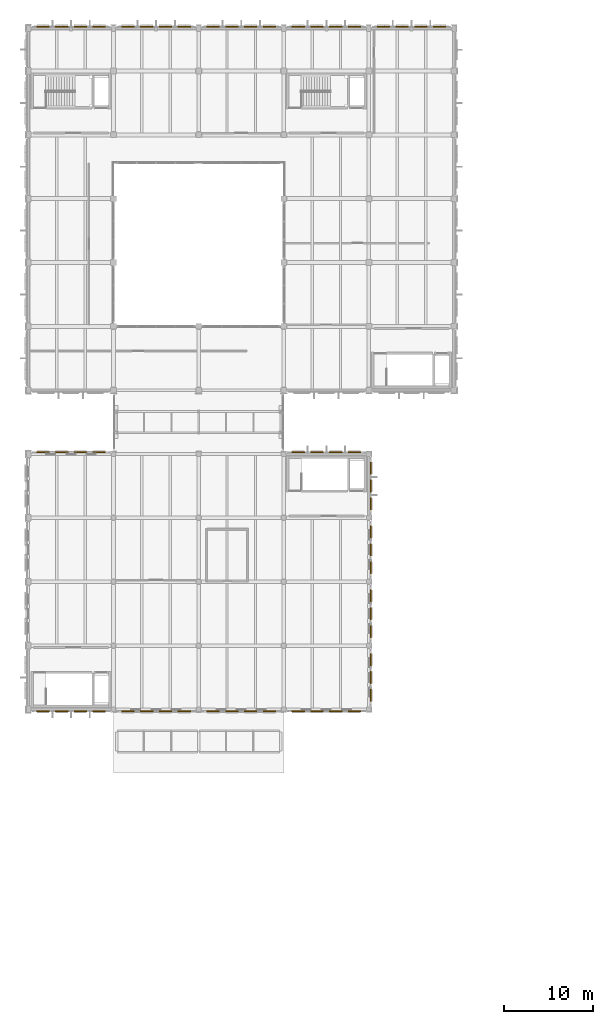
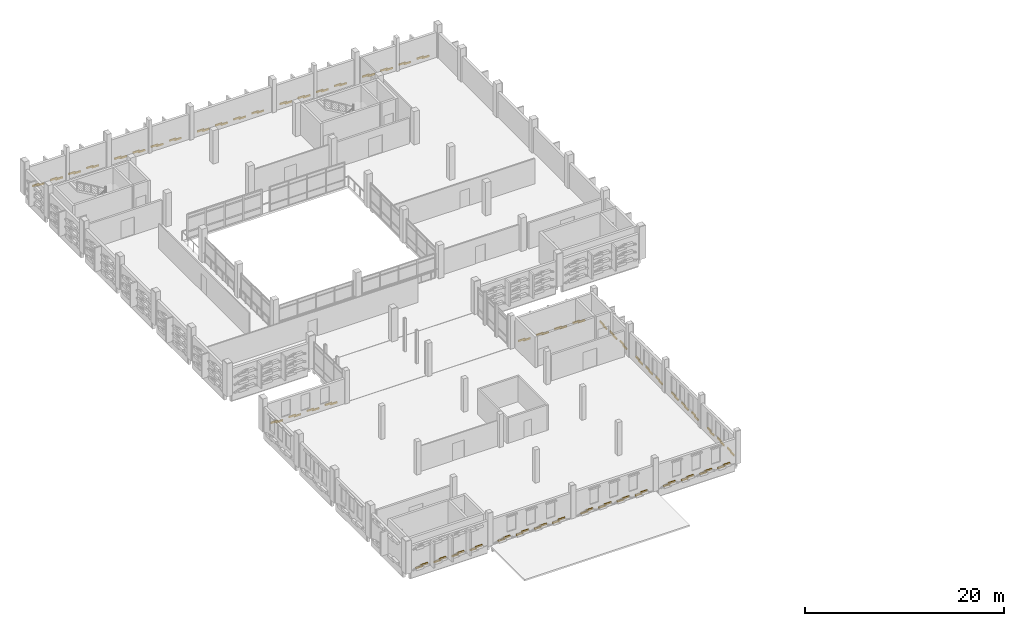
# One storey, part 72 of 72: 112 coverings.
"""IFC4 building model written with IfcOpenShell, lengths in metres."""

from ifc_helpers import new_model, si_unit, direction, frame, origin, origin_2d, place, context, subcontext, project, spatial, rectangle, extrude, material, layer, layer_set, type_object, element, save


model = new_model("IFC4")

# Units and contexts
model_context = context("Model", 3, precision=1e-05, world=origin(), true_north=direction((0.0, 1.0)))
body_context = subcontext(model_context, "Body", "Model", "MODEL_VIEW")
ifc_project = project(units=[si_unit("LENGTHUNIT", "METRE"), si_unit("AREAUNIT", "SQUARE_METRE"), si_unit("VOLUMEUNIT", "CUBIC_METRE"), si_unit("PLANEANGLEUNIT", "RADIAN"), si_unit("MASSUNIT", "GRAM", prefix="KILO")], contexts=[model_context])

# Site, building, storey
site_placement = place(None, origin())
site = spatial("IfcSite", under=ifc_project, at=site_placement, CompositionType="ELEMENT")
building_placement = place(site_placement, origin())
building = spatial("IfcBuilding", under=site, at=building_placement, Name="Asteropetra Specialist Clinic", CompositionType="ELEMENT")
storey_placement = place(building_placement, frame((0.0, 0.0, 12.580078125)))
storey = spatial("IfcBuildingStorey", under=building, at=storey_placement, Name="L03", CompositionType="ELEMENT", Elevation=12.580078125)

# Coverings
ifc_material_1 = material(Name="Chevron limestone", Category="masonry")
ifc_layer_1 = layer(ifc_material_1, 0.1201171875)
ifc_layer_set_1 = layer_set([ifc_layer_1], Name="Chevron limestone")
covering_type_1 = type_object("IfcCoveringType", Name="CLD-OCH-LIME", PredefinedType="CLADDING", material=ifc_layer_set_1)
for number, where, z_axis, x_axis, name in (
    (1, (1.339111328125, 33.402587890625, 0.1201171875), (0.0, 0.0, 1.0), (1.0, 0.0, 0.0), "Chevron Ceramic Band CV-1857"),
    (2, (1.959716796875, 33.402587890625, 0.259765625), (0.0, 0.0, 1.0), (1.0, 0.0, 0.0), "Chevron Ceramic Band CV-1858"),
    (3, (3.44775390625, 33.402587890625, 0.1201171875), (0.0, 0.0, 1.0), (1.0, 0.0, 0.0), "Chevron Ceramic Band CV-1859"),
    (4, (4.068359375, 33.402587890625, 0.259765625), (0.0, 0.0, 1.0), (1.0, 0.0, 0.0), "Chevron Ceramic Band CV-1860"),
    (5, (5.556640625, 33.402587890625, 0.1201171875), (0.0, 0.0, 1.0), (1.0, 0.0, 0.0), "Chevron Ceramic Band CV-1861"),
    (6, (6.17724609375, 33.402587890625, 0.259765625), (0.0, 0.0, 1.0), (1.0, 0.0, 0.0), "Chevron Ceramic Band CV-1862"),
    (7, (7.665283203125, 33.402587890625, 0.1201171875), (0.0, 0.0, 1.0), (1.0, 0.0, 0.0), "Chevron Ceramic Band CV-1863"),
    (8, (8.285888671875, 33.402587890625, 0.259765625), (0.0, 0.0, 1.0), (1.0, 0.0, 0.0), "Chevron Ceramic Band CV-1864"),
    (9, (8.285888671875, 62.597412109375, 0.1201171875), (0.0, 0.0, 1.0), (1.0, 0.0, 0.0), "Chevron Ceramic Band CV-1869"),
    (10, (7.665283203125, 62.597412109375, 0.259765625), (0.0, 0.0, 1.0), (1.0, 0.0, 0.0), "Chevron Ceramic Band CV-1870"),
    (11, (6.17724609375, 62.597412109375, 0.1201171875), (0.0, 0.0, 1.0), (1.0, 0.0, 0.0), "Chevron Ceramic Band CV-1871"),
    (12, (5.556640625, 62.597412109375, 0.259765625), (0.0, 0.0, 1.0), (1.0, 0.0, 0.0), "Chevron Ceramic Band CV-1872"),
    (13, (4.068359375, 62.597412109375, 0.1201171875), (0.0, 0.0, 1.0), (1.0, 0.0, 0.0), "Chevron Ceramic Band CV-1873"),
    (14, (3.44775390625, 62.597412109375, 0.259765625), (0.0, 0.0, 1.0), (1.0, 0.0, 0.0), "Chevron Ceramic Band CV-1874"),
    (15, (1.959716796875, 62.597412109375, 0.1201171875), (0.0, 0.0, 1.0), (1.0, 0.0, 0.0), "Chevron Ceramic Band CV-1875"),
    (16, (1.339111328125, 62.597412109375, 0.259765625), (0.0, 0.0, 1.0), (1.0, 0.0, 0.0), "Chevron Ceramic Band CV-1876"),
):
    element("IfcCovering", number, at=place(storey_placement, frame(where, z_axis=z_axis, x_axis=x_axis)), inside=storey, type_object=covering_type_1, Name=name, PredefinedType="CLADDING", context=body_context, shape_type="SweptSolid", body=[
        extrude(rectangle(XDim=0.801025390625, YDim=0.1201171875, at=origin_2d()), origin(), (0.0, 0.0, 1.0), 0.199951171875),
    ])
for number, where, z_axis, x_axis, name in (
    (17, (10.916259765625, 33.402587890625, 0.1201171875), (0.0, 0.0, 1.0), (1.0, 0.0, 0.0), "Chevron Ceramic Band CV-1881"),
    (18, (11.538818359375, 33.402587890625, 0.259765625), (0.0, 0.0, 1.0), (1.0, 0.0, 0.0), "Chevron Ceramic Band CV-1882"),
    (19, (13.03125, 33.402587890625, 0.1201171875), (0.0, 0.0, 1.0), (1.0, 0.0, 0.0), "Chevron Ceramic Band CV-1883"),
    (20, (13.65380859375, 33.402587890625, 0.259765625), (0.0, 0.0, 1.0), (1.0, 0.0, 0.0), "Chevron Ceramic Band CV-1884"),
    (21, (15.146240234375, 33.402587890625, 0.1201171875), (0.0, 0.0, 1.0), (1.0, 0.0, 0.0), "Chevron Ceramic Band CV-1885"),
    (22, (15.768798828125, 33.402587890625, 0.259765625), (0.0, 0.0, 1.0), (1.0, 0.0, 0.0), "Chevron Ceramic Band CV-1886"),
    (23, (17.26123046875, 33.402587890625, 0.1201171875), (0.0, 0.0, 1.0), (1.0, 0.0, 0.0), "Chevron Ceramic Band CV-1887"),
    (24, (17.8837890625, 33.402587890625, 0.259765625), (0.0, 0.0, 1.0), (1.0, 0.0, 0.0), "Chevron Ceramic Band CV-1888"),
    (25, (20.51611328125, 33.402587890625, 0.1201171875), (0.0, 0.0, 1.0), (1.0, 0.0, 0.0), "Chevron Ceramic Band CV-1893"),
    (26, (21.138671875, 33.402587890625, 0.259765625), (0.0, 0.0, 1.0), (1.0, 0.0, 0.0), "Chevron Ceramic Band CV-1894"),
    (27, (22.631103515625, 33.402587890625, 0.1201171875), (0.0, 0.0, 1.0), (1.0, 0.0, 0.0), "Chevron Ceramic Band CV-1895"),
    (28, (23.25390625, 33.402587890625, 0.259765625), (0.0, 0.0, 1.0), (1.0, 0.0, 0.0), "Chevron Ceramic Band CV-1896"),
    (29, (24.74609375, 33.402587890625, 0.1201171875), (0.0, 0.0, 1.0), (1.0, 0.0, 0.0), "Chevron Ceramic Band CV-1897"),
    (30, (25.36865234375, 33.402587890625, 0.259765625), (0.0, 0.0, 1.0), (1.0, 0.0, 0.0), "Chevron Ceramic Band CV-1898"),
    (31, (26.861083984375, 33.402587890625, 0.1201171875), (0.0, 0.0, 1.0), (1.0, 0.0, 0.0), "Chevron Ceramic Band CV-1899"),
    (32, (27.48388671875, 33.402587890625, 0.259765625), (0.0, 0.0, 1.0), (1.0, 0.0, 0.0), "Chevron Ceramic Band CV-1900"),
    (33, (30.1162109375, 33.402587890625, 0.1201171875), (0.0, 0.0, 1.0), (1.0, 0.0, 0.0), "Chevron Ceramic Band CV-1905"),
    (34, (30.73876953125, 33.402587890625, 0.259765625), (0.0, 0.0, 1.0), (1.0, 0.0, 0.0), "Chevron Ceramic Band CV-1906"),
    (35, (32.231201171875, 33.402587890625, 0.1201171875), (0.0, 0.0, 1.0), (1.0, 0.0, 0.0), "Chevron Ceramic Band CV-1907"),
    (36, (32.853759765625, 33.402587890625, 0.259765625), (0.0, 0.0, 1.0), (1.0, 0.0, 0.0), "Chevron Ceramic Band CV-1908"),
    (37, (34.34619140625, 33.402587890625, 0.1201171875), (0.0, 0.0, 1.0), (1.0, 0.0, 0.0), "Chevron Ceramic Band CV-1909"),
    (38, (34.96875, 33.402587890625, 0.259765625), (0.0, 0.0, 1.0), (1.0, 0.0, 0.0), "Chevron Ceramic Band CV-1910"),
    (39, (36.461181640625, 33.402587890625, 0.1201171875), (0.0, 0.0, 1.0), (1.0, 0.0, 0.0), "Chevron Ceramic Band CV-1911"),
    (40, (37.083740234375, 33.402587890625, 0.259765625), (0.0, 0.0, 1.0), (1.0, 0.0, 0.0), "Chevron Ceramic Band CV-1912"),
    (41, (37.083740234375, 62.597412109375, 0.1201171875), (0.0, 0.0, 1.0), (1.0, 0.0, 0.0), "Chevron Ceramic Band CV-1914"),
    (42, (36.461181640625, 62.597412109375, 0.259765625), (0.0, 0.0, 1.0), (1.0, 0.0, 0.0), "Chevron Ceramic Band CV-1915"),
    (43, (34.96875, 62.597412109375, 0.1201171875), (0.0, 0.0, 1.0), (1.0, 0.0, 0.0), "Chevron Ceramic Band CV-1916"),
    (44, (34.34619140625, 62.597412109375, 0.259765625), (0.0, 0.0, 1.0), (1.0, 0.0, 0.0), "Chevron Ceramic Band CV-1917"),
    (45, (32.853759765625, 62.597412109375, 0.1201171875), (0.0, 0.0, 1.0), (1.0, 0.0, 0.0), "Chevron Ceramic Band CV-1918"),
    (46, (32.231201171875, 62.597412109375, 0.259765625), (0.0, 0.0, 1.0), (1.0, 0.0, 0.0), "Chevron Ceramic Band CV-1919"),
    (47, (30.73876953125, 62.597412109375, 0.1201171875), (0.0, 0.0, 1.0), (1.0, 0.0, 0.0), "Chevron Ceramic Band CV-1920"),
    (48, (30.1162109375, 62.597412109375, 0.259765625), (0.0, 0.0, 1.0), (1.0, 0.0, 0.0), "Chevron Ceramic Band CV-1921"),
):
    element("IfcCovering", number, at=place(storey_placement, frame(where, z_axis=z_axis, x_axis=x_axis)), inside=storey, type_object=covering_type_1, Name=name, PredefinedType="CLADDING", context=body_context, shape_type="SweptSolid", body=[
        extrude(rectangle(XDim=0.803955078125, YDim=0.1201171875, at=origin_2d()), origin(), (0.0, 0.0, 1.0), 0.199951171875),
    ])
for number, where, z_axis, x_axis, name in (
    (49, (38.597412109375, 34.883056640625, 0.1201171875), (0.0, 0.0, 1.0), (1.0, 0.0, 0.0), "Chevron Ceramic Band CV-1931"),
    (50, (38.597412109375, 35.47705078125, 0.259765625), (0.0, 0.0, 1.0), (1.0, 0.0, 0.0), "Chevron Ceramic Band CV-1932"),
    (51, (38.597412109375, 36.903076171875, 0.1201171875), (0.0, 0.0, 1.0), (1.0, 0.0, 0.0), "Chevron Ceramic Band CV-1933"),
    (52, (38.597412109375, 37.4970703125, 0.259765625), (0.0, 0.0, 1.0), (1.0, 0.0, 0.0), "Chevron Ceramic Band CV-1934"),
    (53, (38.597412109375, 38.923095703125, 0.1201171875), (0.0, 0.0, 1.0), (1.0, 0.0, 0.0), "Chevron Ceramic Band CV-1935"),
    (54, (38.597412109375, 39.51708984375, 0.259765625), (0.0, 0.0, 1.0), (1.0, 0.0, 0.0), "Chevron Ceramic Band CV-1936"),
    (55, (38.597412109375, 42.0830078125, 0.1201171875), (0.0, 0.0, 1.0), (1.0, 0.0, 0.0), "Chevron Ceramic Band CV-1949"),
    (56, (38.597412109375, 42.677001953125, 0.259765625), (0.0, 0.0, 1.0), (1.0, 0.0, 0.0), "Chevron Ceramic Band CV-1950"),
    (57, (38.597412109375, 44.10302734375, 0.1201171875), (0.0, 0.0, 1.0), (1.0, 0.0, 0.0), "Chevron Ceramic Band CV-1951"),
    (58, (38.597412109375, 44.697021484375, 0.259765625), (0.0, 0.0, 1.0), (1.0, 0.0, 0.0), "Chevron Ceramic Band CV-1952"),
    (59, (38.597412109375, 46.123046875, 0.1201171875), (0.0, 0.0, 1.0), (1.0, 0.0, 0.0), "Chevron Ceramic Band CV-1953"),
    (60, (38.597412109375, 46.717041015625, 0.259765625), (0.0, 0.0, 1.0), (1.0, 0.0, 0.0), "Chevron Ceramic Band CV-1954"),
    (61, (38.597412109375, 49.282958984375, 0.1201171875), (0.0, 0.0, 1.0), (1.0, 0.0, 0.0), "Chevron Ceramic Band CV-1967"),
    (62, (38.597412109375, 49.876953125, 0.259765625), (0.0, 0.0, 1.0), (1.0, 0.0, 0.0), "Chevron Ceramic Band CV-1968"),
    (63, (38.597412109375, 51.302978515625, 0.1201171875), (0.0, 0.0, 1.0), (1.0, 0.0, 0.0), "Chevron Ceramic Band CV-1969"),
    (64, (38.597412109375, 51.89697265625, 0.259765625), (0.0, 0.0, 1.0), (1.0, 0.0, 0.0), "Chevron Ceramic Band CV-1970"),
    (65, (38.597412109375, 53.322998046875, 0.1201171875), (0.0, 0.0, 1.0), (1.0, 0.0, 0.0), "Chevron Ceramic Band CV-1971"),
    (66, (38.597412109375, 53.9169921875, 0.259765625), (0.0, 0.0, 1.0), (1.0, 0.0, 0.0), "Chevron Ceramic Band CV-1972"),
    (67, (38.597412109375, 56.48291015625, 0.1201171875), (0.0, 0.0, 1.0), (1.0, 0.0, 0.0), "Chevron Ceramic Band CV-1982"),
    (68, (38.597412109375, 57.076904296875, 0.259765625), (0.0, 0.0, 1.0), (1.0, 0.0, 0.0), "Chevron Ceramic Band CV-1983"),
    (69, (38.597412109375, 58.5029296875, 0.1201171875), (0.0, 0.0, 1.0), (1.0, 0.0, 0.0), "Chevron Ceramic Band CV-1984"),
    (70, (38.597412109375, 59.096923828125, 0.259765625), (0.0, 0.0, 1.0), (1.0, 0.0, 0.0), "Chevron Ceramic Band CV-1985"),
    (71, (38.597412109375, 60.52294921875, 0.1201171875), (0.0, 0.0, 1.0), (1.0, 0.0, 0.0), "Chevron Ceramic Band CV-1986"),
    (72, (38.597412109375, 61.116943359375, 0.259765625), (0.0, 0.0, 1.0), (1.0, 0.0, 0.0), "Chevron Ceramic Band CV-1987"),
):
    element("IfcCovering", number, at=place(storey_placement, frame(where, z_axis=z_axis, x_axis=x_axis)), inside=storey, type_object=covering_type_1, Name=name, PredefinedType="CLADDING", context=body_context, shape_type="SweptSolid", body=[
        extrude(rectangle(XDim=0.1201171875, YDim=0.76806640625, at=origin_2d()), origin(), (0.0, 0.0, 1.0), 0.199951171875),
    ])
ifc_material_2 = material(Name="Chevron terracotta pale", Category="masonry")
ifc_layer_2 = layer(ifc_material_2, 0.1201171875)
ifc_layer_set_2 = layer_set([ifc_layer_2], Name="Chevron terracotta pale")
covering_type_2 = type_object("IfcCoveringType", Name="CLD-TER-PALE", PredefinedType="CLADDING", material=ifc_layer_set_2)
for number, where, z_axis, x_axis, name in (
    (73, (8.285888671875, 110.60498046875, 0.1201171875), (0.0, 0.0, 1.0), (1.0, 0.0, 0.0), "Chevron Ceramic Band CV-1452"),
    (74, (7.665283203125, 110.60498046875, 0.259765625), (0.0, 0.0, 1.0), (1.0, 0.0, 0.0), "Chevron Ceramic Band CV-1453"),
    (75, (6.17724609375, 110.60498046875, 0.1201171875), (0.0, 0.0, 1.0), (1.0, 0.0, 0.0), "Chevron Ceramic Band CV-1454"),
    (76, (5.556640625, 110.60498046875, 0.259765625), (0.0, 0.0, 1.0), (1.0, 0.0, 0.0), "Chevron Ceramic Band CV-1455"),
    (77, (4.068359375, 110.60498046875, 0.1201171875), (0.0, 0.0, 1.0), (1.0, 0.0, 0.0), "Chevron Ceramic Band CV-1456"),
    (78, (3.44775390625, 110.60498046875, 0.259765625), (0.0, 0.0, 1.0), (1.0, 0.0, 0.0), "Chevron Ceramic Band CV-1457"),
    (79, (1.959716796875, 110.60498046875, 0.1201171875), (0.0, 0.0, 1.0), (1.0, 0.0, 0.0), "Chevron Ceramic Band CV-1458"),
    (80, (1.339111328125, 110.60498046875, 0.259765625), (0.0, 0.0, 1.0), (1.0, 0.0, 0.0), "Chevron Ceramic Band CV-1459"),
):
    element("IfcCovering", number, at=place(storey_placement, frame(where, z_axis=z_axis, x_axis=x_axis)), inside=storey, type_object=covering_type_2, Name=name, PredefinedType="CLADDING", context=body_context, shape_type="SweptSolid", body=[
        extrude(rectangle(XDim=0.801025390625, YDim=0.1201171875, at=origin_2d()), origin(), (0.0, 0.0, 1.0), 0.199951171875),
    ])
for number, where, z_axis, x_axis, name in (
    (81, (17.8837890625, 110.60498046875, 0.1201171875), (0.0, 0.0, 1.0), (1.0, 0.0, 0.0), "Chevron Ceramic Band CV-1461"),
    (82, (17.26123046875, 110.60498046875, 0.259765625), (0.0, 0.0, 1.0), (1.0, 0.0, 0.0), "Chevron Ceramic Band CV-1462"),
    (83, (15.768798828125, 110.60498046875, 0.1201171875), (0.0, 0.0, 1.0), (1.0, 0.0, 0.0), "Chevron Ceramic Band CV-1463"),
    (84, (15.146240234375, 110.60498046875, 0.259765625), (0.0, 0.0, 1.0), (1.0, 0.0, 0.0), "Chevron Ceramic Band CV-1464"),
    (85, (13.65380859375, 110.60498046875, 0.1201171875), (0.0, 0.0, 1.0), (1.0, 0.0, 0.0), "Chevron Ceramic Band CV-1465"),
    (86, (13.03125, 110.60498046875, 0.259765625), (0.0, 0.0, 1.0), (1.0, 0.0, 0.0), "Chevron Ceramic Band CV-1466"),
    (87, (11.538818359375, 110.60498046875, 0.1201171875), (0.0, 0.0, 1.0), (1.0, 0.0, 0.0), "Chevron Ceramic Band CV-1467"),
    (88, (10.916259765625, 110.60498046875, 0.259765625), (0.0, 0.0, 1.0), (1.0, 0.0, 0.0), "Chevron Ceramic Band CV-1468"),
    (89, (27.48388671875, 110.60498046875, 0.1201171875), (0.0, 0.0, 1.0), (1.0, 0.0, 0.0), "Chevron Ceramic Band CV-1470"),
    (90, (26.861328125, 110.60498046875, 0.259765625), (0.0, 0.0, 1.0), (1.0, 0.0, 0.0), "Chevron Ceramic Band CV-1471"),
    (91, (25.368896484375, 110.60498046875, 0.1201171875), (0.0, 0.0, 1.0), (1.0, 0.0, 0.0), "Chevron Ceramic Band CV-1472"),
    (92, (24.74609375, 110.60498046875, 0.259765625), (0.0, 0.0, 1.0), (1.0, 0.0, 0.0), "Chevron Ceramic Band CV-1473"),
    (93, (23.25390625, 110.60498046875, 0.1201171875), (0.0, 0.0, 1.0), (1.0, 0.0, 0.0), "Chevron Ceramic Band CV-1474"),
    (94, (22.63134765625, 110.60498046875, 0.259765625), (0.0, 0.0, 1.0), (1.0, 0.0, 0.0), "Chevron Ceramic Band CV-1475"),
    (95, (21.138916015625, 110.60498046875, 0.1201171875), (0.0, 0.0, 1.0), (1.0, 0.0, 0.0), "Chevron Ceramic Band CV-1476"),
    (96, (20.51611328125, 110.60498046875, 0.259765625), (0.0, 0.0, 1.0), (1.0, 0.0, 0.0), "Chevron Ceramic Band CV-1477"),
    (97, (37.083740234375, 110.60498046875, 0.1201171875), (0.0, 0.0, 1.0), (1.0, 0.0, 0.0), "Chevron Ceramic Band CV-1486"),
    (98, (36.461181640625, 110.60498046875, 0.259765625), (0.0, 0.0, 1.0), (1.0, 0.0, 0.0), "Chevron Ceramic Band CV-1487"),
    (99, (34.96875, 110.60498046875, 0.1201171875), (0.0, 0.0, 1.0), (1.0, 0.0, 0.0), "Chevron Ceramic Band CV-1488"),
    (100, (34.34619140625, 110.60498046875, 0.259765625), (0.0, 0.0, 1.0), (1.0, 0.0, 0.0), "Chevron Ceramic Band CV-1489"),
    (101, (32.853759765625, 110.60498046875, 0.1201171875), (0.0, 0.0, 1.0), (1.0, 0.0, 0.0), "Chevron Ceramic Band CV-1490"),
    (102, (32.231201171875, 110.60498046875, 0.259765625), (0.0, 0.0, 1.0), (1.0, 0.0, 0.0), "Chevron Ceramic Band CV-1491"),
    (103, (30.73876953125, 110.60498046875, 0.1201171875), (0.0, 0.0, 1.0), (1.0, 0.0, 0.0), "Chevron Ceramic Band CV-1492"),
    (104, (30.1162109375, 110.60498046875, 0.259765625), (0.0, 0.0, 1.0), (1.0, 0.0, 0.0), "Chevron Ceramic Band CV-1493"),
    (105, (46.683837890625, 110.60498046875, 0.1201171875), (0.0, 0.0, 1.0), (1.0, 0.0, 0.0), "Chevron Ceramic Band CV-1502"),
    (106, (46.061279296875, 110.60498046875, 0.259765625), (0.0, 0.0, 1.0), (1.0, 0.0, 0.0), "Chevron Ceramic Band CV-1503"),
    (107, (44.56884765625, 110.60498046875, 0.1201171875), (0.0, 0.0, 1.0), (1.0, 0.0, 0.0), "Chevron Ceramic Band CV-1504"),
    (108, (43.9462890625, 110.60498046875, 0.259765625), (0.0, 0.0, 1.0), (1.0, 0.0, 0.0), "Chevron Ceramic Band CV-1505"),
    (109, (42.45361328125, 110.60498046875, 0.1201171875), (0.0, 0.0, 1.0), (1.0, 0.0, 0.0), "Chevron Ceramic Band CV-1506"),
    (110, (41.831298828125, 110.60498046875, 0.259765625), (0.0, 0.0, 1.0), (1.0, 0.0, 0.0), "Chevron Ceramic Band CV-1507"),
    (111, (40.338623046875, 110.60498046875, 0.1201171875), (0.0, 0.0, 1.0), (1.0, 0.0, 0.0), "Chevron Ceramic Band CV-1508"),
    (112, (39.71630859375, 110.60498046875, 0.259765625), (0.0, 0.0, 1.0), (1.0, 0.0, 0.0), "Chevron Ceramic Band CV-1509"),
):
    element("IfcCovering", number, at=place(storey_placement, frame(where, z_axis=z_axis, x_axis=x_axis)), inside=storey, type_object=covering_type_2, Name=name, PredefinedType="CLADDING", context=body_context, shape_type="SweptSolid", body=[
        extrude(rectangle(XDim=0.803955078125, YDim=0.1201171875, at=origin_2d()), origin(), (0.0, 0.0, 1.0), 0.199951171875),
    ])

save(model, "model.ifc")
